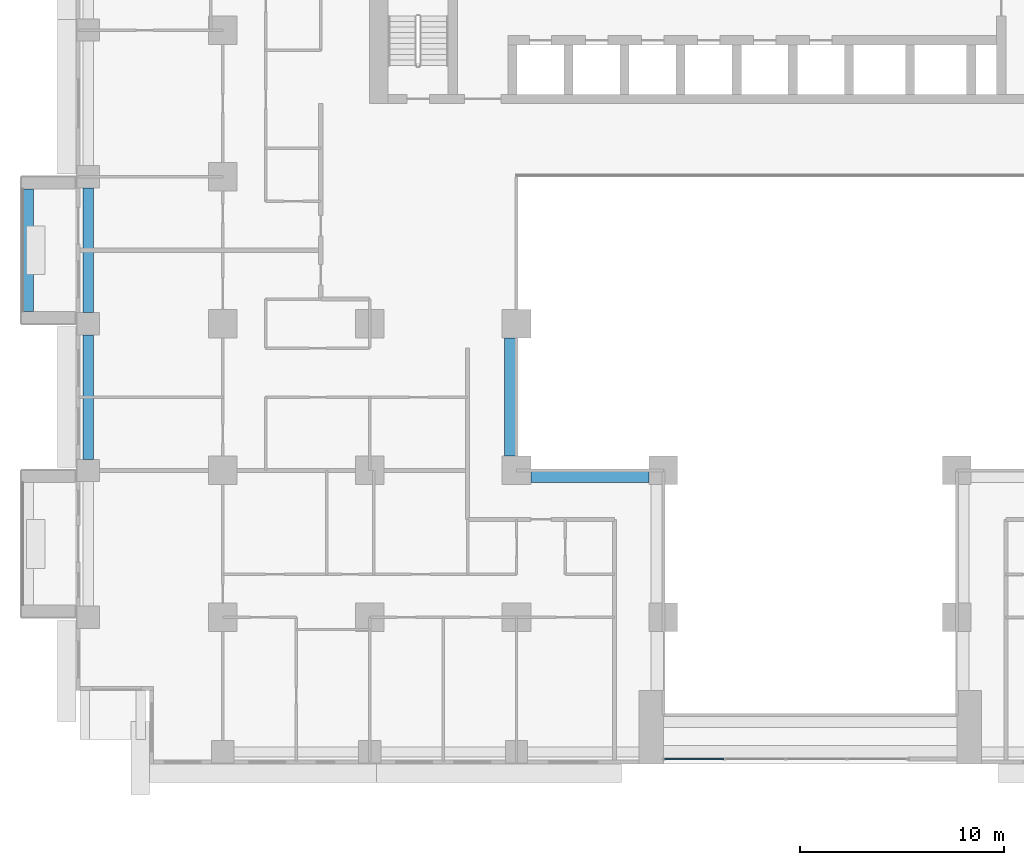
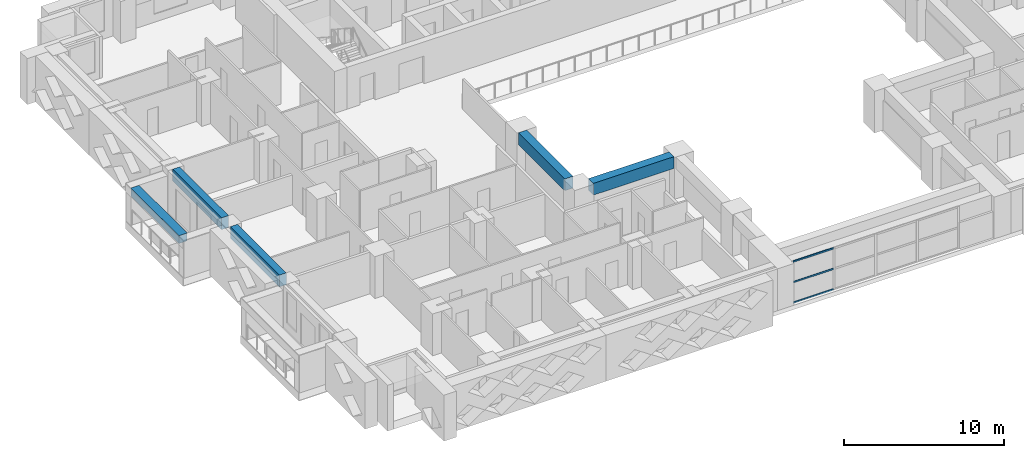
# One storey, part 3 of 16: 5 beams, 3 members, 1 element without a shape of its own.
"""IFC4 building model written with IfcOpenShell, lengths in metres."""

from ifc_helpers import new_model, si_unit, direction, frame, origin, origin_2d, place, context, subcontext, project, spatial, rectangle, extrude, source, transform, mapped, material, layer, layer_set, material_profile, profile_set, type_object, element, aggregate, save


model = new_model("IFC4")

# Units and contexts
model_context = context("Model", 3, precision=1e-05, world=origin(), true_north=direction((0.0, 1.0)))
body_context = subcontext(model_context, "Body", "Model", "MODEL_VIEW")
ifc_project = project(units=[si_unit("LENGTHUNIT", "METRE"), si_unit("AREAUNIT", "SQUARE_METRE"), si_unit("VOLUMEUNIT", "CUBIC_METRE"), si_unit("PLANEANGLEUNIT", "RADIAN"), si_unit("MASSUNIT", "GRAM", prefix="KILO")], contexts=[model_context])

# Site, building, storey
site_placement = place(None, origin())
site = spatial("IfcSite", under=ifc_project, at=site_placement, CompositionType="ELEMENT")
building_placement = place(site_placement, origin())
building = spatial("IfcBuilding", under=site, at=building_placement, Name="Saffron Iwan Residences", CompositionType="ELEMENT")
storey_placement = place(building_placement, frame((0.0, 0.0, 48.0)))
storey = spatial("IfcBuildingStorey", under=building, at=storey_placement, Name="L11", CompositionType="ELEMENT", Elevation=48.0)

# Beams
ifc_material_1 = material(Name="Concrete C60/75", Category="concrete")
ifc_material_profile_1 = material_profile(ifc_material_1, rectangle(XDim=0.5, YDim=0.89990234375, at=origin_2d()), Name="RC 500x900")
ifc_profile_set_1 = profile_set([ifc_material_profile_1], Name="Concrete C60/75")
beam_type_1 = type_object("IfcBeamType", Name="SPANDREL BEAM RC 500x900 C60/75 TOP 3180", PredefinedType="SPANDREL", material=ifc_profile_set_1)
shared_shape_1 = source(origin(), body_context, "Body", "SweptSolid", [
    extrude(rectangle(XDim=0.5, YDim=0.89990234375, at=origin_2d()), origin(), (0.0, 0.0, 1.0), 6.10009765625),
])
beam_1_placement = place(storey_placement, frame((15.0, 55.75, 2.72998046875), z_axis=(0.0, 1.0, 0.0), x_axis=(-1.0, 0.0, 0.0)))
element("IfcBeam", 1, at=beam_1_placement, inside=storey, type_object=beam_type_1, Name="Spandrel beam", PredefinedType="SPANDREL", context=body_context, shape_type="MappedRepresentation", body=[
    mapped(shared_shape_1, transform((0.0, 0.0, 0.0))),
])
shared_shape_2 = source(origin(), body_context, "Body", "SweptSolid", [
    extrude(rectangle(XDim=0.5, YDim=0.89990234375, at=origin_2d()), origin(), (0.0, 0.0, 1.0), 6.099853515625),
])
beam_2_placement = place(storey_placement, frame((15.0, 48.550048828125, 2.72998046875), z_axis=(0.0, 1.0, 0.0), x_axis=(-1.0, 0.0, 0.0)))
element("IfcBeam", 2, at=beam_2_placement, inside=storey, type_object=beam_type_1, Name="Spandrel beam", PredefinedType="SPANDREL", context=body_context, shape_type="MappedRepresentation", body=[
    mapped(shared_shape_2, transform((0.0, 0.0, 0.0))),
])
ifc_material_profile_2 = material_profile(ifc_material_1, rectangle(XDim=0.60009765625, YDim=0.89990234375, at=origin_2d()), Name="RC 600x900")
ifc_profile_set_2 = profile_set([ifc_material_profile_2], Name="Concrete C60/75")
beam_type_2 = type_object("IfcBeamType", Name="BEAM RC 600x900 C60/75 TOP 3180", PredefinedType="BEAM", material=ifc_profile_set_2)
shared_shape_3 = source(origin(), body_context, "Body", "SweptSolid", [
    extrude(rectangle(XDim=0.60009765625, YDim=0.89990234375, at=origin_2d()), origin(), (0.0, 0.0, 1.0), 5.800048828125),
])
for number, where, z_axis, x_axis, name in (
    (3, (42.5, 47.699951171875, 2.72998046875), (-1.0, 0.0, 0.0), (0.0, -1.0, 0.0), "Atrium edge beam"),
    (4, (35.699951171875, 48.699951171875, 2.72998046875), (0.0, 1.0, 0.0), (-1.0, 0.0, 0.0), "Atrium edge beam"),
):
    element("IfcBeam", number, at=place(storey_placement, frame(where, z_axis=z_axis, x_axis=x_axis)), inside=storey, type_object=beam_type_2, Name=name, PredefinedType="BEAM", context=body_context, shape_type="MappedRepresentation", body=[
        mapped(shared_shape_3, transform((0.0, 0.0, 0.0))),
    ])

# Curtain wall, members
ifc_material_2 = material(Name="Clear glass, laminated double glazed", Category="glass")
ifc_layer = layer(ifc_material_2, 0.199951171875)
ifc_layer_set = layer_set([ifc_layer], Name="Clear glass, laminated double glazed")
curtain_wall_type = type_object("IfcCurtainWallType", Name="CW-B IWAN PORTAL", PredefinedType="NOTDEFINED", material=ifc_layer_set)
curtain_wall_placement = place(storey_placement, origin())
curtain_wall = element("IfcCurtainWall", 5, at=curtain_wall_placement, inside=storey, type_object=curtain_wall_type, Name="Iwan portal glazing L11.1", PredefinedType="NOTDEFINED")
ifc_material_3 = material(Name="Aluminium 6063-T6", Category="aluminium")
ifc_material_profile_3 = material_profile(ifc_material_3, rectangle(XDim=0.06005859375, YDim=0.1201171875, at=origin_2d()), Name="CW-B TRANSOM 60 x 120")
ifc_profile_set_3 = profile_set([ifc_material_profile_3], Name="Aluminium 6063-T6")
member_type = type_object("IfcMemberType", Name="CW-B TRANSOM 60 x 120", PredefinedType="USERDEFINED", material=ifc_profile_set_3)
shared_shape_4 = source(origin(), body_context, "Body", "SweptSolid", [
    extrude(rectangle(XDim=0.06005859375, YDim=0.1201171875, at=origin_2d()), origin(), (0.0, 0.0, 1.0), 2.909912109375),
])
member_1_placement = place(storey_placement, frame((43.260009765625, 33.85009765625, 0.030029296875), z_axis=(1.0, 0.0, 0.0), x_axis=(0.0, 1.0, 0.0)))
member_1 = element("IfcMember", 6, at=member_1_placement, type_object=member_type, Name="CW-B transom 1.1", ObjectType="TRANSOM", PredefinedType="USERDEFINED", context=body_context, shape_type="MappedRepresentation", body=[
    mapped(shared_shape_4, transform((0.0, 0.0, 0.0))),
])
member_2_placement = place(storey_placement, frame((43.260009765625, 33.85009765625, 1.590087890625), z_axis=(1.0, 0.0, 0.0), x_axis=(0.0, 1.0, 0.0)))
member_2 = element("IfcMember", 7, at=member_2_placement, type_object=member_type, Name="CW-B transom 1.2", ObjectType="TRANSOM", PredefinedType="USERDEFINED", context=body_context, shape_type="MappedRepresentation", body=[
    mapped(shared_shape_4, transform((0.0, 0.0, 0.0))),
])
member_3_placement = place(storey_placement, frame((43.260009765625, 33.85009765625, 3.14990234375), z_axis=(1.0, 0.0, 0.0), x_axis=(0.0, 1.0, 0.0)))
member_3 = element("IfcMember", 8, at=member_3_placement, type_object=member_type, Name="CW-B transom 1.3", ObjectType="TRANSOM", PredefinedType="USERDEFINED", context=body_context, shape_type="MappedRepresentation", body=[
    mapped(shared_shape_4, transform((0.0, 0.0, 0.0))),
])
aggregate(curtain_wall, [member_1, member_2, member_3])

# Beam
ifc_material_4 = material(Name="Concrete C50/60 white painted", Category="concrete")
ifc_material_profile_4 = material_profile(ifc_material_4, rectangle(XDim=0.60009765625, YDim=0.60009765625, at=origin_2d()), Name="BALCONY FASCIA BEAM 600 x 600")
ifc_profile_set_4 = profile_set([ifc_material_profile_4], Name="Concrete C50/60 white painted")
beam_type_3 = type_object("IfcBeamType", Name="BALCONY FASCIA BEAM 600 x 600", PredefinedType="BEAM", material=ifc_profile_set_4)
shared_shape_5 = source(origin(), body_context, "Body", "SweptSolid", [
    extrude(rectangle(XDim=0.60009765625, YDim=0.60009765625, at=origin_2d()), origin(), (0.0, 0.0, 1.0), 6.0),
])
beam_3_placement = place(storey_placement, frame((12.0, 61.800048828125, 2.550048828125), z_axis=(0.0, -1.0, 0.0), x_axis=(1.0, 0.0, 0.0)))
element("IfcBeam", 9, at=beam_3_placement, inside=storey, type_object=beam_type_3, Name="Balcony fascia beam L11 F8-0", PredefinedType="BEAM", context=body_context, shape_type="MappedRepresentation", body=[
    mapped(shared_shape_5, transform((0.0, 0.0, 0.0))),
])

save(model, "model.ifc")
